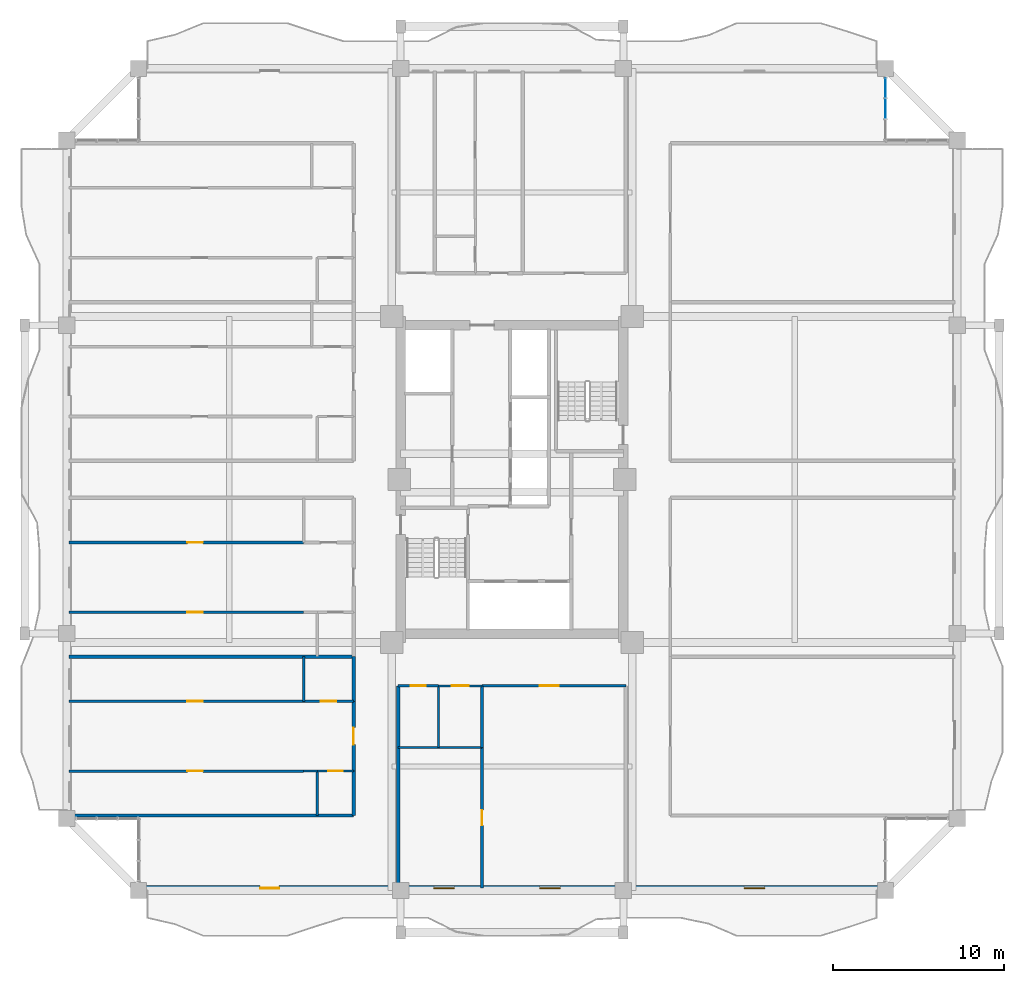
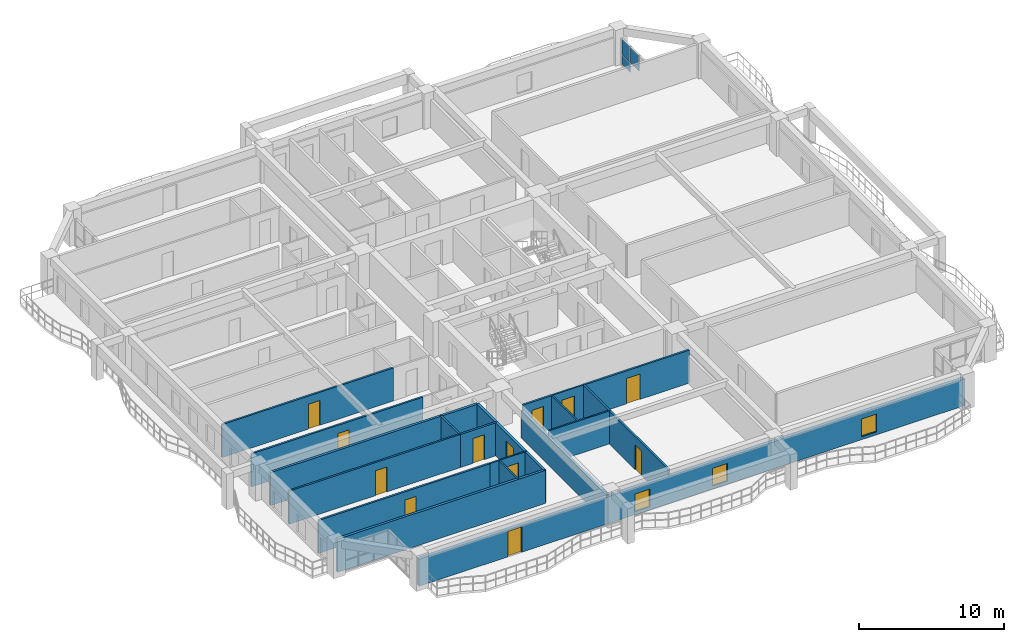
# One storey, part 13 of 22: 23 walls, 12 doors, 3 plates, 3 windows, 15 openings, 1 element without a shape of its own.
"""IFC4 building model written with IfcOpenShell, lengths in metres."""

from ifc_helpers import new_model, si_unit, direction, frame, frame_2d, origin, origin_2d, place, context, subcontext, project, spatial, rectangle, extrude, source, transform, mapped, material, layer, layer_set, type_object, element, fill, aggregate, save


model = new_model("IFC4")

# Units and contexts
model_context = context("Model", 3, precision=1e-05, world=origin(), true_north=direction((0.0, 1.0)))
body_context = subcontext(model_context, "Body", "Model", "MODEL_VIEW")
ifc_project = project(units=[si_unit("LENGTHUNIT", "METRE"), si_unit("AREAUNIT", "SQUARE_METRE"), si_unit("VOLUMEUNIT", "CUBIC_METRE"), si_unit("PLANEANGLEUNIT", "RADIAN"), si_unit("MASSUNIT", "GRAM", prefix="KILO")], contexts=[model_context])

# Site, building, storey
site_placement = place(None, origin())
site = spatial("IfcSite", under=ifc_project, at=site_placement, CompositionType="ELEMENT")
building_placement = place(site_placement, origin())
building = spatial("IfcBuilding", under=site, at=building_placement, Name="Saelheon Loggia Tower", CompositionType="ELEMENT")
storey_placement = place(building_placement, frame((0.0, 0.0, 135.75)))
storey = spatial("IfcBuildingStorey", under=building, at=storey_placement, Name="L43", CompositionType="ELEMENT", Elevation=135.75)

# Curtain wall, plates
ifc_material_1 = material(Name="High-Wind Aluminium and Triple Laminated Glass", Category="aluminium")
ifc_layer_1 = layer(ifc_material_1, 0.179931640625)
ifc_layer_set_1 = layer_set([ifc_layer_1], Name="High-Wind Aluminium and Triple Laminated Glass")
curtain_wall_type = type_object("IfcCurtainWallType", Name="CW_TowerLoggiaHigh", PredefinedType="NOTDEFINED", material=ifc_layer_set_1)
curtain_wall_placement = place(storey_placement, origin())
curtain_wall = element("IfcCurtainWall", 1, at=curtain_wall_placement, inside=storey, type_object=curtain_wall_type, Name="L43 Corner Notch Glazing NE1", PredefinedType="NOTDEFINED")
ifc_material_2 = material(Name="Triple Low-E Laminated Glazing", Category="glass")
ifc_layer_2 = layer(ifc_material_2, 0.0439453125)
ifc_layer_set_2 = layer_set([ifc_layer_2], Name="Triple Low-E Laminated Glazing")
plate_type = type_object("IfcPlateType", Name="CW_TowerLoggiaHigh_Panel", PredefinedType="CURTAIN_PANEL", material=ifc_layer_set_2)
shared_shape_1 = source(origin(), body_context, "Body", "SweptSolid", [
    extrude(rectangle(XDim=1.123291015625, YDim=0.0439453125, at=origin_2d()), origin(), (0.0, 0.0, 1.0), 0.794921875),
])
plate_1_placement = place(storey_placement, frame((59.800048828125, 49.853271484375, 0.070068359375), z_axis=(0.0, 0.0, 1.0), x_axis=(0.0, 1.0, 0.0)))
plate_1 = element("IfcPlate", 2, at=plate_1_placement, type_object=plate_type, Name="CW4 panel 3.1", PredefinedType="CURTAIN_PANEL", context=body_context, shape_type="MappedRepresentation", body=[
    mapped(shared_shape_1, transform((0.0, 0.0, 0.0), scale=1.0)),
])
shared_shape_2 = source(origin(), body_context, "Body", "SweptSolid", [
    extrude(rectangle(XDim=1.123291015625, YDim=0.0439453125, at=origin_2d()), origin(), (0.0, 0.0, 1.0), 1.27490234375),
])
plate_2_placement = place(storey_placement, frame((59.800048828125, 49.853271484375, 0.93505859375), z_axis=(0.0, 0.0, 1.0), x_axis=(0.0, 1.0, 0.0)))
plate_2 = element("IfcPlate", 3, at=plate_2_placement, type_object=plate_type, Name="CW4 panel 3.2", PredefinedType="CURTAIN_PANEL", context=body_context, shape_type="MappedRepresentation", body=[
    mapped(shared_shape_2, transform((0.0, 0.0, 0.0), scale=1.0)),
])
shared_shape_3 = source(origin(), body_context, "Body", "SweptSolid", [
    extrude(rectangle(XDim=1.158447265625, YDim=0.0439453125, at=origin_2d()), origin(), (0.0, 0.0, 1.0), 1.27490234375),
])
plate_3_placement = place(storey_placement, frame((59.800048828125, 48.642578125, 0.93505859375), z_axis=(0.0, 0.0, 1.0), x_axis=(0.0, 1.0, 0.0)))
plate_3 = element("IfcPlate", 4, at=plate_3_placement, type_object=plate_type, Name="CW4 panel 2.2", PredefinedType="CURTAIN_PANEL", context=body_context, shape_type="MappedRepresentation", body=[
    mapped(shared_shape_3, transform((0.0, 0.0, 0.0), scale=1.0)),
])
aggregate(curtain_wall, [plate_3, plate_1, plate_2])

# Wall, openings, windows, door
ifc_material_3 = material(Name="Architectural Precast Concrete C40/50", Category="concrete")
ifc_layer_3 = layer(ifc_material_3, 0.280029296875)
ifc_layer_set_3 = layer_set([ifc_layer_3], Name="Architectural Precast Concrete C40/50")
wall_type_1 = type_object("IfcWallType", Name="Wall_Ext_Loggia_280", PredefinedType="SOLIDWALL", material=ifc_layer_set_3)
wall_1_placement = place(storey_placement, frame((16.199951171875, 3.139892578125, 0.0), z_axis=(0.0, 0.0, 1.0), x_axis=(1.0, 0.0, 0.0)))
wall_1 = element("IfcWall", 5, at=wall_1_placement, inside=storey, type_object=wall_type_1, Name="L43 South Loggia Inner Wall", PredefinedType="SOLIDWALL", context=body_context, shape_type="SweptSolid", body=[
    extrude(rectangle(XDim=43.60009765625, YDim=0.280029296875, at=frame_2d((21.800048828125, 0.0))), origin(), (0.0, 0.0, 1.0), 2.280029296875),
])
opening_1_placement = place(wall_1_placement, frame((8.2001953125, 0.0, 0.0), z_axis=(0.0, 0.0, 1.0), x_axis=(-1.0, 0.0, 0.0)))
opening_1 = element("IfcOpeningElement", 6, at=opening_1_placement, cuts=wall_1, Name="Opening TD1", PredefinedType="OPENING", context=body_context, shape_type="SweptSolid", body=[
    extrude(rectangle(XDim=1.10009765625, YDim=2.14990234375, at=frame_2d((0.550048828125, 1.074951171875))), frame((0.0, 0.152099609375, 0.0), z_axis=(0.0, -1.0, 0.0), x_axis=(1.0, 0.0, 0.0)), (0.0, 0.0, 1.0), 0.303955078125),
])
opening_2_placement = place(wall_1_placement, frame((17.232421875, 0.0, 0.25)))
opening_2 = element("IfcOpeningElement", 7, at=opening_2_placement, cuts=wall_1, Name="Opening WN-03", PredefinedType="OPENING", context=body_context, shape_type="SweptSolid", body=[
    extrude(rectangle(XDim=1.199951171875, YDim=1.5, at=frame_2d((0.60009765625, 0.75))), frame((0.0, 0.152099609375, 0.0), z_axis=(0.0, -1.0, 0.0), x_axis=(1.0, 0.0, 0.0)), (0.0, 0.0, 1.0), 0.303955078125),
])
opening_3_placement = place(wall_1_placement, frame((23.41748046875, 0.0, 0.25)))
opening_3 = element("IfcOpeningElement", 8, at=opening_3_placement, cuts=wall_1, Name="Opening WN-03", PredefinedType="OPENING", context=body_context, shape_type="SweptSolid", body=[
    extrude(rectangle(XDim=1.199951171875, YDim=1.5, at=frame_2d((0.60009765625, 0.75))), frame((0.0, 0.152099609375, 0.0), z_axis=(0.0, -1.0, 0.0), x_axis=(1.0, 0.0, 0.0)), (0.0, 0.0, 1.0), 0.303955078125),
])
opening_4_placement = place(wall_1_placement, frame((35.35009765625, 0.0, 0.25)))
opening_4 = element("IfcOpeningElement", 9, at=opening_4_placement, cuts=wall_1, Name="Opening WN-03", PredefinedType="OPENING", context=body_context, shape_type="SweptSolid", body=[
    extrude(rectangle(XDim=1.199951171875, YDim=1.5, at=frame_2d((0.60009765625, 0.75))), frame((0.0, 0.152099609375, 0.0), z_axis=(0.0, -1.0, 0.0), x_axis=(1.0, 0.0, 0.0)), (0.0, 0.0, 1.0), 0.303955078125),
])
ifc_material_4 = material(Name="Thermal-Break Aluminium and Triple Low-E Glass", Category="aluminium")
window_type = type_object("IfcWindowType", Name="Win_Bedroom_1200x1500", PartitioningType="SINGLE_PANEL", PredefinedType="WINDOW", material=ifc_material_4)
shared_shape_4 = source(origin(), body_context, "Body", "SweptSolid", [
    extrude(rectangle(XDim=1.199951171875, YDim=1.5, at=frame_2d((0.60009765625, 0.75))), frame((0.0, 0.030029296875, 0.0), z_axis=(0.0, -1.0, 0.0), x_axis=(1.0, 0.0, 0.0)), (0.0, 0.0, 1.0), 0.06005859375),
])
window_1_placement = place(opening_2_placement, origin())
window_1 = element("IfcWindow", 10, at=window_1_placement, inside=storey, type_object=window_type, Name="L43 S Dwelling Window 2", OverallHeight=1.5, OverallWidth=1.199951171875, PartitioningType="SINGLE_PANEL", PredefinedType="WINDOW", context=body_context, shape_type="MappedRepresentation", body=[
    mapped(shared_shape_4, transform((0.0, 0.0, 0.0), scale=1.0)),
])
fill(opening_2, window_1)
window_2_placement = place(opening_3_placement, origin())
window_2 = element("IfcWindow", 11, at=window_2_placement, inside=storey, type_object=window_type, Name="L43 S Dwelling Window 3", OverallHeight=1.5, OverallWidth=1.199951171875, PartitioningType="SINGLE_PANEL", PredefinedType="WINDOW", context=body_context, shape_type="MappedRepresentation", body=[
    mapped(shared_shape_4, transform((0.0, 0.0, 0.0), scale=1.0)),
])
fill(opening_3, window_2)
window_3_placement = place(opening_4_placement, origin())
window_3 = element("IfcWindow", 12, at=window_3_placement, inside=storey, type_object=window_type, Name="L43 S Dwelling Window 4", OverallHeight=1.5, OverallWidth=1.199951171875, PartitioningType="SINGLE_PANEL", PredefinedType="WINDOW", context=body_context, shape_type="MappedRepresentation", body=[
    mapped(shared_shape_4, transform((0.0, 0.0, 0.0), scale=1.0)),
])
fill(opening_4, window_3)
ifc_material_5 = material(Name="Thermal-Break Aluminium Glazed Door", Category="aluminium")
door_type_1 = type_object("IfcDoorType", Name="Door_Terrace_TD1", OperationType="NOTDEFINED", PredefinedType="DOOR", material=ifc_material_5)
shared_shape_5 = source(origin(), body_context, "Body", "SweptSolid", [
    extrude(rectangle(XDim=1.10009765625, YDim=2.14990234375, at=frame_2d((0.550048828125, 1.074951171875))), frame((0.0, 0.02490234375, 0.0), z_axis=(0.0, -1.0, 0.0), x_axis=(1.0, 0.0, 0.0)), (0.0, 0.0, 1.0), 0.050048828125),
])
door_1_placement = place(opening_1_placement, origin())
door_1 = element("IfcDoor", 13, at=door_1_placement, inside=storey, type_object=door_type_1, Name="L43 S Loggia Access Door", OperationType="SINGLE_SWING_LEFT", OverallHeight=2.14990234375, OverallWidth=1.10009765625, PredefinedType="DOOR", context=body_context, shape_type="MappedRepresentation", body=[
    mapped(shared_shape_5, transform((0.0, 0.0, 0.0), scale=1.0)),
])
fill(opening_1, door_1)

# Wall
ifc_material_6 = material(Name="Lightweight Autoclaved Aerated Concrete Block and Acoustic Gypsum", Category="concrete")
ifc_layer_4 = layer(ifc_material_6, 0.14990234375)
ifc_layer_set_4 = layer_set([ifc_layer_4], Name="Lightweight Autoclaved Aerated Concrete Block and Acoustic Gypsum")
wall_type_2 = type_object("IfcWallType", Name="Wall_Part_150", PredefinedType="PARTITIONING", material=ifc_layer_set_4)
wall_2_placement = place(storey_placement, frame((36.25, 14.949951171875, 0.0), z_axis=(0.0, 0.0, 1.0), x_axis=(0.0, -1.0, 0.0)))
element("IfcWall", 14, at=wall_2_placement, inside=storey, type_object=wall_type_2, Name="L43 S Partition U04", PredefinedType="PARTITIONING", context=body_context, shape_type="SweptSolid", body=[
    extrude(rectangle(XDim=3.599853515625, YDim=0.14990234375, at=frame_2d((1.7998046875, 0.0))), origin(), (0.0, 0.0, 1.0), 2.7900390625),
])

# Wall, opening, door
wall_3_placement = place(storey_placement, frame((36.25, 11.35009765625, 0.0), z_axis=(0.0, 0.0, 1.0), x_axis=(0.0, -1.0, 0.0)))
wall_3 = element("IfcWall", 15, at=wall_3_placement, inside=storey, type_object=wall_type_2, Name="L43 S Partition U05", PredefinedType="PARTITIONING", context=body_context, shape_type="SweptSolid", body=[
    extrude(rectangle(XDim=8.2001953125, YDim=0.14990234375, at=frame_2d((4.10009765625, 0.0))), origin(), (0.0, 0.0, 1.0), 2.7900390625),
])
opening_5_placement = place(wall_3_placement, frame((3.64990234375, 0.0, 0.0)))
opening_5 = element("IfcOpeningElement", 16, at=opening_5_placement, cuts=wall_3, Name="Opening D-IN2", PredefinedType="OPENING", context=body_context, shape_type="SweptSolid", body=[
    extrude(rectangle(XDim=0.89990234375, YDim=2.10009765625, at=frame_2d((0.449951171875, 1.050048828125))), frame((0.0, 0.0869140625, 0.0), z_axis=(0.0, -1.0, 0.0), x_axis=(1.0, 0.0, 0.0)), (0.0, 0.0, 1.0), 0.173828125),
])
ifc_material_7 = material(Name="Engineered Oak Flush Door", Category="timber")
door_type_2 = type_object("IfcDoorType", Name="Door_Int_900", OperationType="NOTDEFINED", PredefinedType="DOOR", material=ifc_material_7)
shared_shape_6 = source(origin(), body_context, "Body", "SweptSolid", [
    extrude(rectangle(XDim=0.89990234375, YDim=2.10009765625, at=frame_2d((0.449951171875, 1.050048828125))), frame((0.0, 0.02490234375, 0.0), z_axis=(0.0, -1.0, 0.0), x_axis=(1.0, 0.0, 0.0)), (0.0, 0.0, 1.0), 0.050048828125),
])
door_2_placement = place(opening_5_placement, origin())
door_2 = element("IfcDoor", 17, at=door_2_placement, inside=storey, type_object=door_type_2, Name="L43 Reading Alcove Door", OperationType="SINGLE_SWING_LEFT", OverallHeight=2.10009765625, OverallWidth=0.89990234375, PredefinedType="DOOR", context=body_context, shape_type="MappedRepresentation", body=[
    mapped(shared_shape_6, transform((0.0, 0.0, 0.0), scale=1.0)),
])
fill(opening_5, door_2)

wall_4_placement = place(storey_placement, frame((31.35009765625, 14.949951171875, 0.0), z_axis=(0.0, 0.0, 1.0), x_axis=(1.0, 0.0, 0.0)))
wall_4 = element("IfcWall", 18, at=wall_4_placement, inside=storey, type_object=wall_type_2, Name="L43 S Partition V07", PredefinedType="PARTITIONING", context=body_context, shape_type="SweptSolid", body=[
    extrude(rectangle(XDim=2.349853515625, YDim=0.14990234375, at=frame_2d((1.1748046875, 0.0))), origin(), (0.0, 0.0, 1.0), 2.7900390625),
])
opening_6_placement = place(wall_4_placement, frame((0.72509765625, 0.0, 0.0)))
opening_6 = element("IfcOpeningElement", 19, at=opening_6_placement, cuts=wall_4, Name="Opening D-IN2", PredefinedType="OPENING", context=body_context, shape_type="SweptSolid", body=[
    extrude(rectangle(XDim=0.89990234375, YDim=2.10009765625, at=frame_2d((0.449951171875, 1.050048828125))), frame((0.0, 0.0869140625, 0.0), z_axis=(0.0, -1.0, 0.0), x_axis=(1.0, 0.0, 0.0)), (0.0, 0.0, 1.0), 0.173828125),
])
door_3_placement = place(opening_6_placement, origin())
door_3 = element("IfcDoor", 20, at=door_3_placement, inside=storey, type_object=door_type_2, Name="L43 Community Pantry Door", OperationType="SINGLE_SWING_RIGHT", OverallHeight=2.10009765625, OverallWidth=0.89990234375, PredefinedType="DOOR", context=body_context, shape_type="MappedRepresentation", body=[
    mapped(shared_shape_6, transform((0.0, 0.0, 0.0), scale=1.0)),
])
fill(opening_6, door_3)

wall_5_placement = place(storey_placement, frame((36.25, 14.949951171875, 0.0), z_axis=(0.0, 0.0, 1.0), x_axis=(1.0, 0.0, 0.0)))
wall_5 = element("IfcWall", 21, at=wall_5_placement, inside=storey, type_object=wall_type_2, Name="L43 S Partition V09", PredefinedType="PARTITIONING", context=body_context, shape_type="SweptSolid", body=[
    extrude(rectangle(XDim=8.39990234375, YDim=0.14990234375, at=frame_2d((4.199951171875, 0.0))), origin(), (0.0, 0.0, 1.0), 2.7900390625),
])
opening_7_placement = place(wall_5_placement, frame((3.367431640625, 0.0, 0.0)))
opening_7 = element("IfcOpeningElement", 22, at=opening_7_placement, cuts=wall_5, Name="Opening D-FD2", PredefinedType="OPENING", context=body_context, shape_type="SweptSolid", body=[
    extrude(rectangle(XDim=1.10009765625, YDim=2.14990234375, at=frame_2d((0.550048828125, 1.074951171875))), frame((0.0, 0.0869140625, 0.0), z_axis=(0.0, -1.0, 0.0), x_axis=(1.0, 0.0, 0.0)), (0.0, 0.0, 1.0), 0.173828125),
])
ifc_material_8 = material(Name="Galvanised Steel Fire Door", Category="steel")
door_type_3 = type_object("IfcDoorType", Name="Door_Fire_FD60_1100", OperationType="NOTDEFINED", PredefinedType="DOOR", material=ifc_material_8)
door_4_placement = place(opening_7_placement, origin())
door_4 = element("IfcDoor", 23, at=door_4_placement, inside=storey, type_object=door_type_3, Name="L43 Resident Fitness Gymnasium Door A", OperationType="SINGLE_SWING_RIGHT", OverallHeight=2.14990234375, OverallWidth=1.10009765625, PredefinedType="DOOR", context=body_context, shape_type="MappedRepresentation", body=[
    mapped(shared_shape_5, transform((0.0, 0.0, 0.0), scale=1.0)),
])
fill(opening_7, door_4)

# Wall
wall_6_placement = place(storey_placement, frame((25.830078125, 14.050048828125, 0.0), z_axis=(0.0, 0.0, 1.0), x_axis=(0.0, 1.0, 0.0)))
element("IfcWall", 24, at=wall_6_placement, inside=storey, type_object=wall_type_2, Name="L43 WS Partition V07", PredefinedType="PARTITIONING", context=body_context, shape_type="SweptSolid", body=[
    extrude(rectangle(XDim=2.599853515625, YDim=0.14990234375, at=frame_2d((1.2998046875, 0.0))), origin(), (0.0, 0.0, 1.0), 2.7900390625),
])

# Wall, opening, door
wall_7_placement = place(storey_placement, frame((25.830078125, 9.9755859375, 0.0), z_axis=(0.0, 0.0, 1.0), x_axis=(-1.0, 0.0, 0.0)))
wall_7 = element("IfcWall", 25, at=wall_7_placement, inside=storey, type_object=wall_type_2, Name="L43 WS Partition U10", PredefinedType="PARTITIONING", context=body_context, shape_type="SweptSolid", body=[
    extrude(rectangle(XDim=13.68017578125, YDim=0.14990234375, at=frame_2d((6.840087890625, 0.0))), origin(), (0.0, 0.0, 1.0), 2.7900390625),
])
opening_8_placement = place(wall_7_placement, frame((5.87744140625, 0.0, 0.0)))
opening_8 = element("IfcOpeningElement", 26, at=opening_8_placement, cuts=wall_7, Name="Opening D-IN2", PredefinedType="OPENING", context=body_context, shape_type="SweptSolid", body=[
    extrude(rectangle(XDim=0.89990234375, YDim=2.10009765625, at=frame_2d((0.449951171875, 1.050048828125))), frame((0.0, 0.0869140625, 0.0), z_axis=(0.0, -1.0, 0.0), x_axis=(1.0, 0.0, 0.0)), (0.0, 0.0, 1.0), 0.173828125),
])
door_5_placement = place(opening_8_placement, origin())
door_5 = element("IfcDoor", 27, at=door_5_placement, inside=storey, type_object=door_type_2, Name="Unit U02 Kitchen Door", OperationType="SINGLE_SWING_RIGHT", OverallHeight=2.10009765625, OverallWidth=0.89990234375, PredefinedType="DOOR", context=body_context, shape_type="MappedRepresentation", body=[
    mapped(shared_shape_6, transform((0.0, 0.0, 0.0), scale=1.0)),
])
fill(opening_8, door_5)

wall_8_placement = place(storey_placement, frame((28.75, 14.050048828125, 0.0), z_axis=(0.0, 0.0, 1.0), x_axis=(-1.0, 0.0, 0.0)))
wall_8 = element("IfcWall", 28, at=wall_8_placement, inside=storey, type_object=wall_type_2, Name="L43 WS Partition U11", PredefinedType="PARTITIONING", context=body_context, shape_type="SweptSolid", body=[
    extrude(rectangle(XDim=2.919921875, YDim=0.14990234375, at=frame_2d((1.4599609375, 0.0))), origin(), (0.0, 0.0, 1.0), 2.7900390625),
])
opening_9_placement = place(wall_8_placement, frame((1.010009765625, 0.0, 0.0)))
opening_9 = element("IfcOpeningElement", 29, at=opening_9_placement, cuts=wall_8, Name="Opening D-IN2", PredefinedType="OPENING", context=body_context, shape_type="SweptSolid", body=[
    extrude(rectangle(XDim=0.89990234375, YDim=2.10009765625, at=frame_2d((0.449951171875, 1.050048828125))), frame((0.0, 0.0869140625, 0.0), z_axis=(0.0, -1.0, 0.0), x_axis=(1.0, 0.0, 0.0)), (0.0, 0.0, 1.0), 0.173828125),
])
door_6_placement = place(opening_9_placement, origin())
door_6 = element("IfcDoor", 30, at=door_6_placement, inside=storey, type_object=door_type_2, Name="Unit U02 Dressing Closet Door", OperationType="SINGLE_SWING_LEFT", OverallHeight=2.10009765625, OverallWidth=0.89990234375, PredefinedType="DOOR", context=body_context, shape_type="MappedRepresentation", body=[
    mapped(shared_shape_6, transform((0.0, 0.0, 0.0), scale=1.0)),
])
fill(opening_9, door_6)

wall_9_placement = place(storey_placement, frame((25.830078125, 14.050048828125, 0.0), z_axis=(0.0, 0.0, 1.0), x_axis=(-1.0, 0.0, 0.0)))
wall_9 = element("IfcWall", 31, at=wall_9_placement, inside=storey, type_object=wall_type_2, Name="L43 WS Partition U12", PredefinedType="PARTITIONING", context=body_context, shape_type="SweptSolid", body=[
    extrude(rectangle(XDim=13.68017578125, YDim=0.14990234375, at=frame_2d((6.840087890625, 0.0))), origin(), (0.0, 0.0, 1.0), 2.7900390625),
])
opening_10_placement = place(wall_9_placement, frame((5.87744140625, 0.0, 0.0)))
opening_10 = element("IfcOpeningElement", 32, at=opening_10_placement, cuts=wall_9, Name="Opening D-IN2", PredefinedType="OPENING", context=body_context, shape_type="SweptSolid", body=[
    extrude(rectangle(XDim=0.89990234375, YDim=2.10009765625, at=frame_2d((0.449951171875, 1.050048828125))), frame((0.0, 0.0869140625, 0.0), z_axis=(0.0, -1.0, 0.0), x_axis=(1.0, 0.0, 0.0)), (0.0, 0.0, 1.0), 0.173828125),
])
door_7_placement = place(opening_10_placement, origin())
door_7 = element("IfcDoor", 33, at=door_7_placement, inside=storey, type_object=door_type_2, Name="Unit U02 Bedroom 1 Door", OperationType="SINGLE_SWING_RIGHT", OverallHeight=2.10009765625, OverallWidth=0.89990234375, PredefinedType="DOOR", context=body_context, shape_type="MappedRepresentation", body=[
    mapped(shared_shape_6, transform((0.0, 0.0, 0.0), scale=1.0)),
])
fill(opening_10, door_7)

wall_10_placement = place(storey_placement, frame((25.830078125, 19.24560546875, 0.0), z_axis=(0.0, 0.0, 1.0), x_axis=(-1.0, 0.0, 0.0)))
wall_10 = element("IfcWall", 34, at=wall_10_placement, inside=storey, type_object=wall_type_2, Name="L43 WS Partition U21", PredefinedType="PARTITIONING", context=body_context, shape_type="SweptSolid", body=[
    extrude(rectangle(XDim=13.68017578125, YDim=0.14990234375, at=frame_2d((6.840087890625, 0.0))), origin(), (0.0, 0.0, 1.0), 2.7900390625),
])
opening_11_placement = place(wall_10_placement, frame((5.87744140625, 0.0, 0.0)))
opening_11 = element("IfcOpeningElement", 35, at=opening_11_placement, cuts=wall_10, Name="Opening D-IN2", PredefinedType="OPENING", context=body_context, shape_type="SweptSolid", body=[
    extrude(rectangle(XDim=0.89990234375, YDim=2.10009765625, at=frame_2d((0.449951171875, 1.050048828125))), frame((0.0, 0.0869140625, 0.0), z_axis=(0.0, -1.0, 0.0), x_axis=(1.0, 0.0, 0.0)), (0.0, 0.0, 1.0), 0.173828125),
])
door_8_placement = place(opening_11_placement, origin())
door_8 = element("IfcDoor", 36, at=door_8_placement, inside=storey, type_object=door_type_2, Name="Unit U03 Kitchen Door", OperationType="SINGLE_SWING_LEFT", OverallHeight=2.10009765625, OverallWidth=0.89990234375, PredefinedType="DOOR", context=body_context, shape_type="MappedRepresentation", body=[
    mapped(shared_shape_6, transform((0.0, 0.0, 0.0), scale=1.0)),
])
fill(opening_11, door_8)

wall_11_placement = place(storey_placement, frame((25.830078125, 23.320068359375, 0.0), z_axis=(0.0, 0.0, 1.0), x_axis=(-1.0, 0.0, 0.0)))
wall_11 = element("IfcWall", 37, at=wall_11_placement, inside=storey, type_object=wall_type_2, Name="L43 WS Partition U23", PredefinedType="PARTITIONING", context=body_context, shape_type="SweptSolid", body=[
    extrude(rectangle(XDim=13.68017578125, YDim=0.14990234375, at=frame_2d((6.840087890625, 0.0))), origin(), (0.0, 0.0, 1.0), 2.7900390625),
])
opening_12_placement = place(wall_11_placement, frame((5.87744140625, 0.0, 0.0)))
opening_12 = element("IfcOpeningElement", 38, at=opening_12_placement, cuts=wall_11, Name="Opening D-IN2", PredefinedType="OPENING", context=body_context, shape_type="SweptSolid", body=[
    extrude(rectangle(XDim=0.89990234375, YDim=2.10009765625, at=frame_2d((0.449951171875, 1.050048828125))), frame((0.0, 0.0869140625, 0.0), z_axis=(0.0, -1.0, 0.0), x_axis=(1.0, 0.0, 0.0)), (0.0, 0.0, 1.0), 0.173828125),
])
door_9_placement = place(opening_12_placement, origin())
door_9 = element("IfcDoor", 39, at=door_9_placement, inside=storey, type_object=door_type_2, Name="Unit U03 Bedroom 1 Door", OperationType="SINGLE_SWING_LEFT", OverallHeight=2.10009765625, OverallWidth=0.89990234375, PredefinedType="DOOR", context=body_context, shape_type="MappedRepresentation", body=[
    mapped(shared_shape_6, transform((0.0, 0.0, 0.0), scale=1.0)),
])
fill(opening_12, door_9)

# Walls
ifc_material_9 = material(Name="Double Acoustic Stud and Fireboard Partition", Category="gypsum")
ifc_layer_5 = layer(ifc_material_9, 0.199951171875)
ifc_layer_set_5 = layer_set([ifc_layer_5], Name="Double Acoustic Stud and Fireboard Partition")
wall_type_3 = type_object("IfcWallType", Name="Wall_Party_200", PredefinedType="PARTITIONING", material=ifc_layer_set_5)
wall_12_placement = place(storey_placement, frame((31.35009765625, 14.949951171875, 0.0), z_axis=(0.0, 0.0, 1.0), x_axis=(0.0, -1.0, 0.0)))
element("IfcWall", 40, at=wall_12_placement, inside=storey, type_object=wall_type_3, Name="L43 S Partition U01", PredefinedType="PARTITIONING", context=body_context, shape_type="SweptSolid", body=[
    extrude(rectangle(XDim=11.800048828125, YDim=0.199951171875, at=frame_2d((5.89990234375, 0.0))), origin(), (0.0, 0.0, 1.0), 2.340087890625),
])
wall_13_placement = place(storey_placement, frame((28.75, 7.3798828125, 0.0), z_axis=(0.0, 0.0, 1.0), x_axis=(-1.0, 0.0, 0.0)))
element("IfcWall", 41, at=wall_13_placement, inside=storey, type_object=wall_type_3, Name="L43 WS Partition U01", PredefinedType="PARTITIONING", context=body_context, shape_type="SweptSolid", body=[
    extrude(rectangle(XDim=16.60009765625, YDim=0.199951171875, at=frame_2d((8.300048828125, 0.0))), origin(), (0.0, 0.0, 1.0), 2.7900390625),
])
wall_14_placement = place(storey_placement, frame((28.75, 7.3798828125, 0.0), z_axis=(0.0, 0.0, 1.0), x_axis=(0.0, 1.0, 0.0)))
element("IfcWall", 42, at=wall_14_placement, inside=storey, type_object=wall_type_3, Name="L43 WS Partition V03", PredefinedType="PARTITIONING", context=body_context, shape_type="SweptSolid", body=[
    extrude(rectangle(XDim=2.595703125, YDim=0.199951171875, at=frame_2d((1.2978515625, 0.0))), origin(), (0.0, 0.0, 1.0), 2.7900390625),
])

# Wall, opening, door
wall_15_placement = place(storey_placement, frame((28.75, 9.9755859375, 0.0), z_axis=(0.0, 0.0, 1.0), x_axis=(0.0, 1.0, 0.0)))
wall_15 = element("IfcWall", 43, at=wall_15_placement, inside=storey, type_object=wall_type_3, Name="L43 WS Partition V04", PredefinedType="PARTITIONING", context=body_context, shape_type="SweptSolid", body=[
    extrude(rectangle(XDim=4.074462890625, YDim=0.199951171875, at=frame_2d((2.037109375, 0.0))), origin(), (0.0, 0.0, 1.0), 2.7900390625),
])
opening_13_placement = place(wall_15_placement, frame((1.537109375, 0.0, 0.0)))
opening_13 = element("IfcOpeningElement", 44, at=opening_13_placement, cuts=wall_15, Name="Opening D-FD1", PredefinedType="OPENING", context=body_context, shape_type="SweptSolid", body=[
    extrude(rectangle(XDim=1.0, YDim=2.14990234375, at=frame_2d((0.5, 1.074951171875))), frame((0.0, 0.112060546875, 0.0), z_axis=(0.0, -1.0, 0.0), x_axis=(1.0, 0.0, 0.0)), (0.0, 0.0, 1.0), 0.223876953125),
])
ifc_material_10 = material(Name="Fire-Rated Engineered Timber Entrance Door", Category="wood")
door_type_4 = type_object("IfcDoorType", Name="Door_Flat_FD30S", OperationType="NOTDEFINED", PredefinedType="DOOR", material=ifc_material_10)
shared_shape_7 = source(origin(), body_context, "Body", "SweptSolid", [
    extrude(rectangle(XDim=1.0, YDim=2.14990234375, at=frame_2d((0.5, 1.074951171875))), frame((0.0, 0.02490234375, 0.0), z_axis=(0.0, -1.0, 0.0), x_axis=(1.0, 0.0, 0.0)), (0.0, 0.0, 1.0), 0.050048828125),
])
door_10_placement = place(opening_13_placement, origin())
door_10 = element("IfcDoor", 45, at=door_10_placement, inside=storey, type_object=door_type_4, Name="Unit U02 Entrance Door", OperationType="SINGLE_SWING_RIGHT", OverallHeight=2.14990234375, OverallWidth=1.0, PredefinedType="DOOR", context=body_context, shape_type="MappedRepresentation", body=[
    mapped(shared_shape_7, transform((0.0, 0.0, 0.0), scale=1.0)),
])
fill(opening_13, door_10)

# Walls
wall_16_placement = place(storey_placement, frame((28.75, 14.050048828125, 0.0), z_axis=(0.0, 0.0, 1.0), x_axis=(0.0, 1.0, 0.0)))
element("IfcWall", 46, at=wall_16_placement, inside=storey, type_object=wall_type_3, Name="L43 WS Partition V05", PredefinedType="PARTITIONING", context=body_context, shape_type="SweptSolid", body=[
    extrude(rectangle(XDim=2.599853515625, YDim=0.199951171875, at=frame_2d((1.2998046875, 0.0))), origin(), (0.0, 0.0, 1.0), 2.7900390625),
])
wall_17_placement = place(storey_placement, frame((28.75, 16.64990234375, 0.0), z_axis=(0.0, 0.0, 1.0), x_axis=(-1.0, 0.0, 0.0)))
element("IfcWall", 47, at=wall_17_placement, inside=storey, type_object=wall_type_3, Name="L43 WS Partition U13", PredefinedType="PARTITIONING", context=body_context, shape_type="SweptSolid", body=[
    extrude(rectangle(XDim=16.60009765625, YDim=0.199951171875, at=frame_2d((8.300048828125, 0.0))), origin(), (0.0, 0.0, 1.0), 2.7900390625),
])
ifc_material_11 = material(Name="Moisture-Resistant Cement Board Partition", Category="gypsum")
ifc_layer_6 = layer(ifc_material_11, 0.1201171875)
ifc_layer_set_6 = layer_set([ifc_layer_6], Name="Moisture-Resistant Cement Board Partition")
wall_type_4 = type_object("IfcWallType", Name="Wall_WetPart_120", PredefinedType="PARTITIONING", material=ifc_layer_set_6)
wall_18_placement = place(storey_placement, frame((33.699951171875, 14.949951171875, 0.0), z_axis=(0.0, 0.0, 1.0), x_axis=(0.0, -1.0, 0.0)))
element("IfcWall", 48, at=wall_18_placement, inside=storey, type_object=wall_type_4, Name="L43 S Partition U03", PredefinedType="PARTITIONING", context=body_context, shape_type="SweptSolid", body=[
    extrude(rectangle(XDim=3.599853515625, YDim=0.1201171875, at=frame_2d((1.7998046875, 0.0))), origin(), (0.0, 0.0, 1.0), 2.7900390625),
])
wall_19_placement = place(storey_placement, frame((31.35009765625, 11.35009765625, 0.0), z_axis=(0.0, 0.0, 1.0), x_axis=(1.0, 0.0, 0.0)))
element("IfcWall", 49, at=wall_19_placement, inside=storey, type_object=wall_type_4, Name="L43 S Partition V06", PredefinedType="PARTITIONING", context=body_context, shape_type="SweptSolid", body=[
    extrude(rectangle(XDim=4.89990234375, YDim=0.1201171875, at=frame_2d((2.449951171875, 0.0))), origin(), (0.0, 0.0, 1.0), 2.7900390625),
])

# Wall, opening, door
wall_20_placement = place(storey_placement, frame((33.699951171875, 14.949951171875, 0.0), z_axis=(0.0, 0.0, 1.0), x_axis=(1.0, 0.0, 0.0)))
wall_20 = element("IfcWall", 50, at=wall_20_placement, inside=storey, type_object=wall_type_4, Name="L43 S Partition V08", PredefinedType="PARTITIONING", context=body_context, shape_type="SweptSolid", body=[
    extrude(rectangle(XDim=2.550048828125, YDim=0.1201171875, at=frame_2d((1.27490234375, 0.0))), origin(), (0.0, 0.0, 1.0), 2.7900390625),
])
opening_14_placement = place(wall_20_placement, frame((0.77490234375, 0.0, 0.0)))
opening_14 = element("IfcOpeningElement", 51, at=opening_14_placement, cuts=wall_20, Name="Opening D-AC1", PredefinedType="OPENING", context=body_context, shape_type="SweptSolid", body=[
    extrude(rectangle(XDim=1.0, YDim=2.10009765625, at=frame_2d((0.5, 1.050048828125))), frame((0.0, 0.072021484375, 0.0), z_axis=(0.0, -1.0, 0.0), x_axis=(1.0, 0.0, 0.0)), (0.0, 0.0, 1.0), 0.14404296875),
])
ifc_material_12 = material(Name="Accessible Laminate Flush Door", Category="timber")
door_type_5 = type_object("IfcDoorType", Name="Door_Acc_1000", OperationType="NOTDEFINED", PredefinedType="DOOR", material=ifc_material_12)
shared_shape_8 = source(origin(), body_context, "Body", "SweptSolid", [
    extrude(rectangle(XDim=1.0, YDim=2.10009765625, at=frame_2d((0.5, 1.050048828125))), frame((0.0, 0.02490234375, 0.0), z_axis=(0.0, -1.0, 0.0), x_axis=(1.0, 0.0, 0.0)), (0.0, 0.0, 1.0), 0.050048828125),
])
door_11_placement = place(opening_14_placement, origin())
door_11 = element("IfcDoor", 52, at=door_11_placement, inside=storey, type_object=door_type_5, Name="L43 Common Washroom Door", OperationType="SINGLE_SWING_LEFT", OverallHeight=2.10009765625, OverallWidth=1.0, PredefinedType="DOOR", context=body_context, shape_type="MappedRepresentation", body=[
    mapped(shared_shape_8, transform((0.0, 0.0, 0.0), scale=1.0)),
])
fill(opening_14, door_11)

# Wall
wall_21_placement = place(storey_placement, frame((26.6298828125, 7.3798828125, 0.0), z_axis=(0.0, 0.0, 1.0), x_axis=(0.0, 1.0, 0.0)))
element("IfcWall", 53, at=wall_21_placement, inside=storey, type_object=wall_type_4, Name="L43 WS Partition V06", PredefinedType="PARTITIONING", context=body_context, shape_type="SweptSolid", body=[
    extrude(rectangle(XDim=2.595703125, YDim=0.1201171875, at=frame_2d((1.2978515625, 0.0))), origin(), (0.0, 0.0, 1.0), 2.7900390625),
])

# Wall, opening, door
wall_22_placement = place(storey_placement, frame((28.75, 9.9755859375, 0.0), z_axis=(0.0, 0.0, 1.0), x_axis=(-1.0, 0.0, 0.0)))
wall_22 = element("IfcWall", 54, at=wall_22_placement, inside=storey, type_object=wall_type_4, Name="L43 WS Partition U08", PredefinedType="PARTITIONING", context=body_context, shape_type="SweptSolid", body=[
    extrude(rectangle(XDim=2.1201171875, YDim=0.1201171875, at=frame_2d((1.06005859375, 0.0))), origin(), (0.0, 0.0, 1.0), 2.7900390625),
])
opening_15_placement = place(wall_22_placement, frame((0.635009765625, 0.0, 0.0)))
opening_15 = element("IfcOpeningElement", 55, at=opening_15_placement, cuts=wall_22, Name="Opening D-BT1", PredefinedType="OPENING", context=body_context, shape_type="SweptSolid", body=[
    extrude(rectangle(XDim=0.85009765625, YDim=2.050048828125, at=frame_2d((0.425048828125, 1.02490234375))), frame((0.0, 0.072021484375, 0.0), z_axis=(0.0, -1.0, 0.0), x_axis=(1.0, 0.0, 0.0)), (0.0, 0.0, 1.0), 0.14404296875),
])
ifc_material_13 = material(Name="Moisture-Resistant Laminate Timber Door", Category="wood")
door_type_6 = type_object("IfcDoorType", Name="Door_Bath_850", OperationType="NOTDEFINED", PredefinedType="DOOR", material=ifc_material_13)
shared_shape_9 = source(origin(), body_context, "Body", "SweptSolid", [
    extrude(rectangle(XDim=0.85009765625, YDim=2.050048828125, at=frame_2d((0.425048828125, 1.02490234375))), frame((0.0, 0.02490234375, 0.0), z_axis=(0.0, -1.0, 0.0), x_axis=(1.0, 0.0, 0.0)), (0.0, 0.0, 1.0), 0.050048828125),
])
door_12_placement = place(opening_15_placement, origin())
door_12 = element("IfcDoor", 56, at=door_12_placement, inside=storey, type_object=door_type_6, Name="Unit U02 Bathroom Door", OperationType="SINGLE_SWING_LEFT", OverallHeight=2.050048828125, OverallWidth=0.85009765625, PredefinedType="DOOR", context=body_context, shape_type="MappedRepresentation", body=[
    mapped(shared_shape_9, transform((0.0, 0.0, 0.0), scale=1.0)),
])
fill(opening_15, door_12)

# Wall
wall_23_placement = place(storey_placement, frame((26.6298828125, 9.9755859375, 0.0), z_axis=(0.0, 0.0, 1.0), x_axis=(-1.0, 0.0, 0.0)))
element("IfcWall", 57, at=wall_23_placement, inside=storey, type_object=wall_type_4, Name="L43 WS Partition U09", PredefinedType="PARTITIONING", context=body_context, shape_type="SweptSolid", body=[
    extrude(rectangle(XDim=0.7998046875, YDim=0.1201171875, at=frame_2d((0.39990234375, 0.0))), origin(), (0.0, 0.0, 1.0), 2.7900390625),
])

save(model, "model.ifc")
